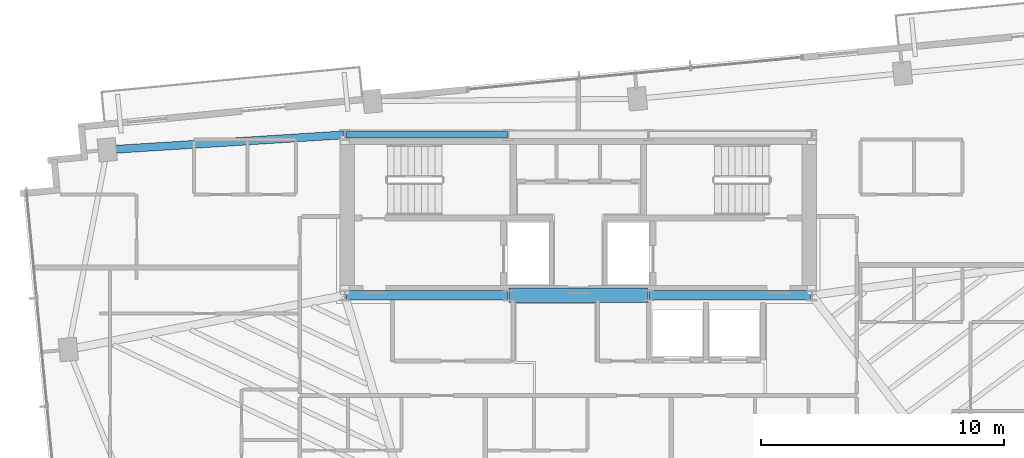
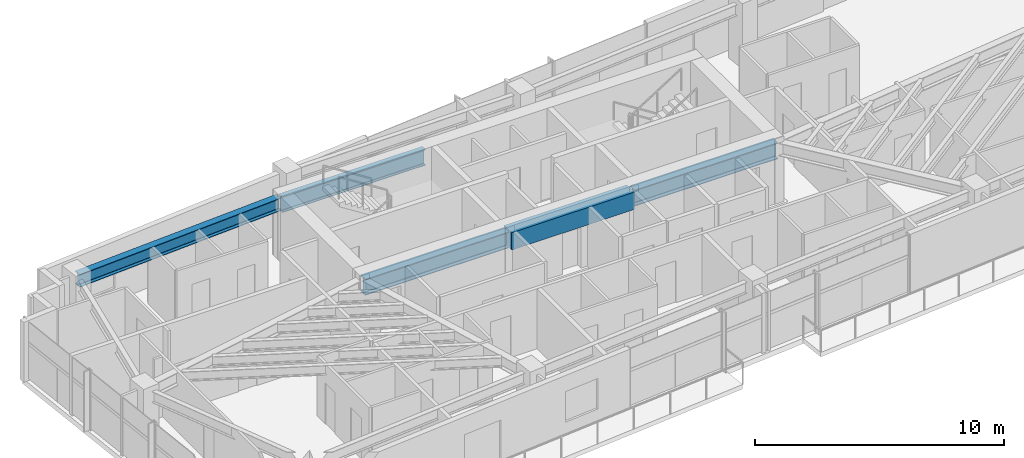
# One storey, part 5 of 18: 5 beams.
"""IFC4 building model written with IfcOpenShell, lengths in metres."""

from ifc_helpers import new_model, si_unit, direction, frame, origin, origin_2d, place, context, subcontext, project, spatial, rectangle, i_section, extrude, source, transform, mapped, material, material_profile, profile_set, type_object, type_shapes, element, save


model = new_model("IFC4")

# Units and contexts
model_context = context("Model", 3, precision=1e-05, world=origin(), true_north=direction((0.0, 1.0)))
body_context = subcontext(model_context, "Body", "Model", "MODEL_VIEW")
ifc_project = project(units=[si_unit("LENGTHUNIT", "METRE"), si_unit("AREAUNIT", "SQUARE_METRE"), si_unit("VOLUMEUNIT", "CUBIC_METRE"), si_unit("PLANEANGLEUNIT", "RADIAN"), si_unit("MASSUNIT", "GRAM", prefix="KILO")], contexts=[model_context])

# Site, building, storey
site_placement = place(None, origin())
site = spatial("IfcSite", under=ifc_project, at=site_placement, CompositionType="ELEMENT")
building_placement = place(site_placement, origin())
building = spatial("IfcBuilding", under=site, at=building_placement, Name="Astriad Promenade Condominiums", CompositionType="ELEMENT")
storey_placement = place(building_placement, frame((0.0, 0.0, 205.0)))
storey = spatial("IfcBuildingStorey", under=building, at=storey_placement, Name="L59", CompositionType="ELEMENT", Elevation=205.0)

# Beams
ifc_material_1 = material(Name="Steel ASTM A992 Grade 50", Category="steel")
ifc_material_profile_1 = material_profile(ifc_material_1, i_section(OverallWidth=0.3837890625, OverallDepth=0.785888671875, WebThickness=0.019775390625, FlangeThickness=0.033447265625, FilletRadius=0.021484375, at=origin_2d()), Name="W30X211")
ifc_profile_set_1 = profile_set([ifc_material_profile_1], Name="Steel ASTM A992 Grade 50")
beam_type_1 = type_object("IfcBeamType", Name="STEEL FLOOR GIRDER W30X211", PredefinedType="BEAM", material=ifc_profile_set_1)
shared_shape_1 = source(origin(), body_context, "Body", "SweptSolid", [
    extrude(i_section(OverallWidth=0.3837890625, OverallDepth=0.785888671875, WebThickness=0.019775390625, FlangeThickness=0.033447265625, FilletRadius=0.021484375, at=origin_2d()), origin(), (0.0, 0.0, 1.0), 6.64013671875),
])
type_shapes(beam_type_1, [shared_shape_1])
for number, where, z_axis, x_axis, name in (
    (1, (26.43994140625, 17.39990234375, 2.547119140625), (1.0, 0.0, 0.0), (0.0, 1.0, 0.0), "Core Ring Beam CG-S1-L59"),
    (2, (38.919921875, 17.39990234375, 2.547119140625), (1.0, 0.0, 0.0), (0.0, 1.0, 0.0), "Core Ring Beam CG-S3-L59"),
):
    element("IfcBeam", number, at=place(storey_placement, frame(where, z_axis=z_axis, x_axis=x_axis)), inside=storey, type_object=beam_type_1, Name=name, PredefinedType="BEAM", context=body_context, shape_type="MappedRepresentation", body=[
        mapped(shared_shape_1, transform((0.0, 0.0, 0.0), scale=1.0)),
    ])
ifc_material_profile_2 = material_profile(ifc_material_1, i_section(OverallWidth=0.267822265625, OverallDepth=0.76953125, WebThickness=0.015625, FlangeThickness=0.025390625, FilletRadius=0.021484375, at=origin_2d()), Name="W30X132")
ifc_profile_set_2 = profile_set([ifc_material_profile_2], Name="Steel ASTM A992 Grade 50")
beam_type_2 = type_object("IfcBeamType", Name="STEEL FLOOR GIRDER W30X132", PredefinedType="BEAM", material=ifc_profile_set_2)
shared_shape_2 = source(origin(), body_context, "Body", "SweptSolid", [
    extrude(i_section(OverallWidth=0.267822265625, OverallDepth=0.76953125, WebThickness=0.015625, FlangeThickness=0.025390625, FilletRadius=0.021484375, at=origin_2d()), origin(), (0.0, 0.0, 1.0), 6.64013671875),
])
type_shapes(beam_type_2, [shared_shape_2])
beam_1_placement = place(storey_placement, frame((26.43994140625, 24.0, 2.55517578125), z_axis=(1.0, 0.0, 0.0), x_axis=(0.0, 1.0, 0.0)))
element("IfcBeam", 3, at=beam_1_placement, inside=storey, type_object=beam_type_2, Name="Core Ring Beam CG-N1-L59", PredefinedType="BEAM", context=body_context, shape_type="MappedRepresentation", body=[
    mapped(shared_shape_2, transform((0.0, 0.0, 0.0), scale=1.0)),
])
ifc_material_2 = material(Name="Concrete C60/75", Category="concrete")
ifc_material_profile_3 = material_profile(ifc_material_2, rectangle(XDim=0.60009765625, YDim=0.85009765625, at=origin_2d()), Name="RC-BM-600X850")
ifc_profile_set_3 = profile_set([ifc_material_profile_3], Name="Concrete C60/75")
beam_type_3 = type_object("IfcBeamType", Name="CONCRETE CORE COUPLING LINTEL 600X850", PredefinedType="LINTEL", material=ifc_profile_set_3)
shared_shape_3 = source(origin(), body_context, "Body", "SweptSolid", [
    extrude(rectangle(XDim=0.60009765625, YDim=0.85009765625, at=origin_2d()), origin(), (0.0, 0.0, 1.0), 5.68017578125),
])
type_shapes(beam_type_3, [shared_shape_3])
beam_2_placement = place(storey_placement, frame((33.159912109375, 17.39990234375, 2.514892578125), z_axis=(1.0, 0.0, 0.0), x_axis=(0.0, 1.0, 0.0)))
element("IfcBeam", 4, at=beam_2_placement, inside=storey, type_object=beam_type_3, Name="Core Ring Beam CG-S2-L59", PredefinedType="LINTEL", context=body_context, shape_type="MappedRepresentation", body=[
    mapped(shared_shape_3, transform((0.0, 0.0, 0.0), scale=1.0)),
])
ifc_material_profile_4 = material_profile(ifc_material_1, i_section(OverallWidth=0.326416015625, OverallDepth=0.621826171875, WebThickness=0.015380859375, FlangeThickness=0.0244140625, FilletRadius=0.017822265625, at=origin_2d()), Name="W24X131")
ifc_profile_set_4 = profile_set([ifc_material_profile_4], Name="Steel ASTM A992 Grade 50")
beam_type_4 = type_object("IfcBeamType", Name="STEEL FLOOR GIRDER W24X131", PredefinedType="BEAM", material=ifc_profile_set_4)
shared_shape_4 = source(origin(), body_context, "Body", "SweptSolid", [
    extrude(i_section(OverallWidth=0.326416015625, OverallDepth=0.621826171875, WebThickness=0.015380859375, FlangeThickness=0.0244140625, FilletRadius=0.017822265625, at=origin_2d()), origin(), (0.0, 0.0, 1.0), 9.707275390625),
])
type_shapes(beam_type_4, [shared_shape_4])
beam_3_placement = place(storey_placement, frame((16.672119140625, 23.38671875, 2.629150390625), z_axis=(0.998018176507, 0.062926301034, 0.0), x_axis=(-0.062926301034, 0.998018176507, 0.0)))
element("IfcBeam", 5, at=beam_3_placement, inside=storey, type_object=beam_type_4, Name="Primary Floor Girder PG-NW-L59", PredefinedType="BEAM", context=body_context, shape_type="MappedRepresentation", body=[
    mapped(shared_shape_4, transform((0.0, 0.0, 0.0), scale=1.0)),
])

save(model, "model.ifc")
